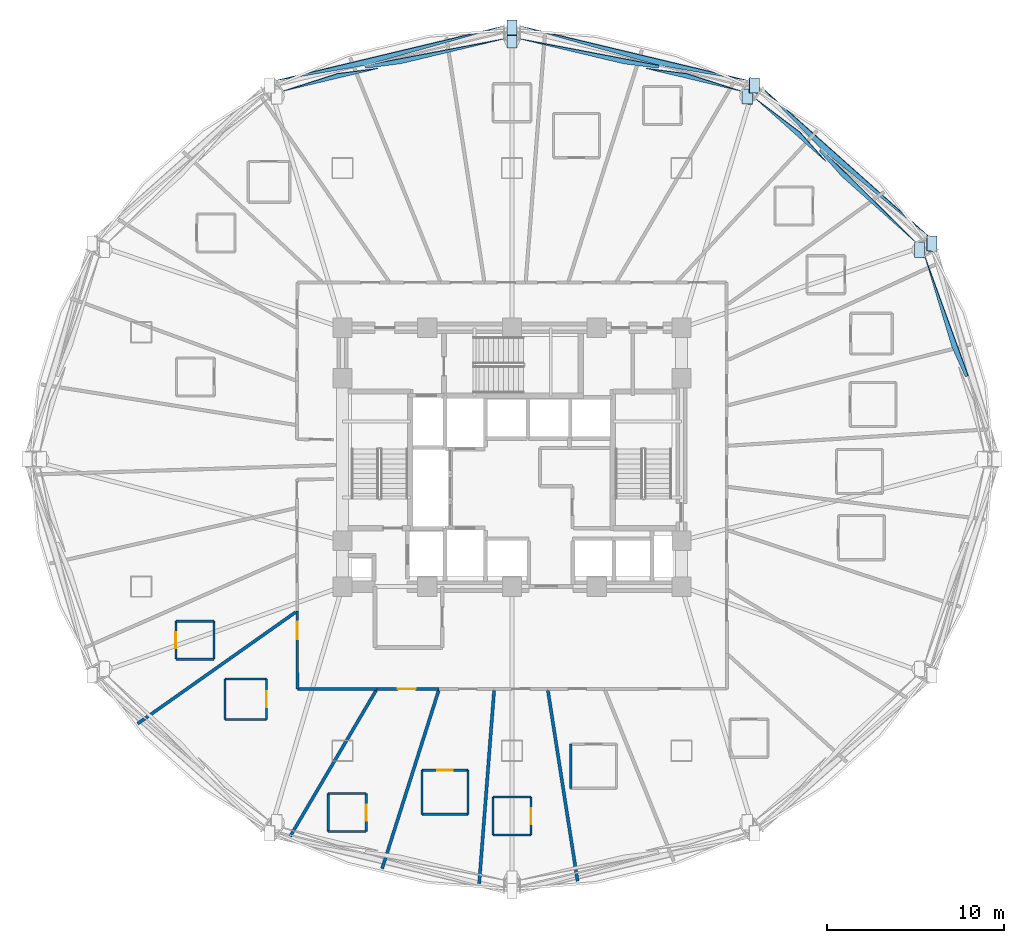
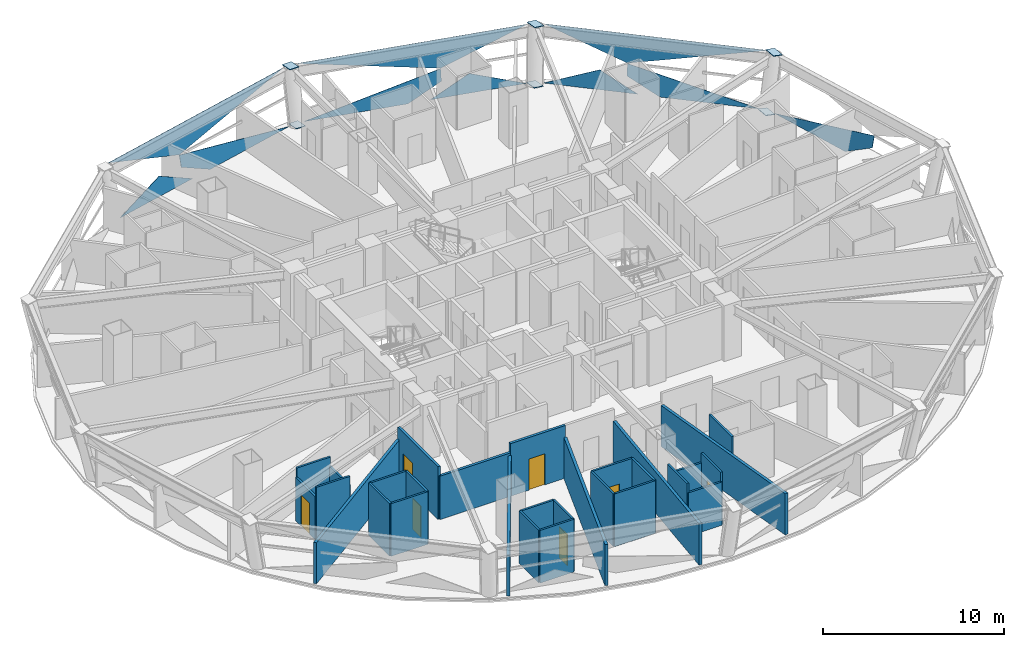
# One storey, part 4 of 13: 29 walls, 16 plates, 7 doors, 7 openings, 4 elements without a shape of their own.
"""IFC4 building model written with IfcOpenShell, lengths in metres."""

from ifc_helpers import new_model, si_unit, direction, frame, frame_2d, origin, place, context, subcontext, project, spatial, polyline, rectangle, outline, extrude, material, layer, layer_set, type_object, element, fill, aggregate, save


model = new_model("IFC4")

# Units and contexts
model_context = context("Model", 3, precision=1e-05, world=origin(), true_north=direction((0.0, 1.0)))
body_context = subcontext(model_context, "Body", "Model", "MODEL_VIEW")
ifc_project = project(units=[si_unit("LENGTHUNIT", "METRE"), si_unit("AREAUNIT", "SQUARE_METRE"), si_unit("VOLUMEUNIT", "CUBIC_METRE"), si_unit("PLANEANGLEUNIT", "RADIAN"), si_unit("MASSUNIT", "GRAM", prefix="KILO")], contexts=[model_context])

# Site, building, storey
site_placement = place(None, origin())
site = spatial("IfcSite", under=ifc_project, at=site_placement, CompositionType="ELEMENT")
building_placement = place(site_placement, origin())
building = spatial("IfcBuilding", under=site, at=building_placement, Name="Vantalir Tower", CompositionType="ELEMENT")
storey_placement = place(building_placement, frame((0.0, 0.0, 53.25)))
storey = spatial("IfcBuildingStorey", under=building, at=storey_placement, Name="L12", CompositionType="ELEMENT", Elevation=53.25)

# Curtain wall, plate
ifc_material_1 = material(Name="Champagne-silver PVDF aluminium and double-silver Low-E glass", Category="aluminium")
ifc_layer_1 = layer(ifc_material_1, 0.18994140625)
ifc_layer_set_1 = layer_set([ifc_layer_1], Name="Champagne-silver PVDF aluminium and double-silver Low-E glass")
curtain_wall_type = type_object("IfcCurtainWallType", Name="CW-DIAMOND-Z1", PredefinedType="USERDEFINED", material=ifc_layer_set_1)
curtain_wall_1_placement = place(storey_placement, origin())
curtain_wall_1 = element("IfcCurtainWall", 1, at=curtain_wall_1_placement, inside=storey, type_object=curtain_wall_type, Name="L12 Quilted Pyramid-Diamond Curtain Wall S01", ObjectType="UNITISED CURTAIN WALL", PredefinedType="USERDEFINED")
ifc_material_2 = material(Name="Double-silver Low-E laminated glass IGU", Category="glass")
ifc_layer_2 = layer(ifc_material_2, 0.028076171875)
ifc_layer_set_2 = layer_set([ifc_layer_2], Name="Double-silver Low-E laminated glass IGU")
plate_type_1 = type_object("IfcPlateType", Name="CWP-IGU-28", PredefinedType="CURTAIN_PANEL", material=ifc_layer_set_2)
plate_1_placement = place(storey_placement, frame((56.4150390625, 31.36962890625, 0.04638671875), z_axis=(-0.931842929681, -0.280080287907, 0.230702810406), x_axis=(-0.2878445015, 0.957677160085, 2.735766e-06)))
plate_1 = element("IfcPlate", 2, at=plate_1_placement, type_object=plate_type_1, Name="CW-L12-S01 Pyramid Diamond Facet 1L", PredefinedType="CURTAIN_PANEL", context=body_context, shape_type="SweptSolid", body=[
    extrude(outline(polyline([(0.0, 0.0), (5.3504519900705185, 0.0), (-1.8316297275376923, -1.775186910868049), (-1.8316594055536057, -1.0289983419999966), (0.0, 0.0)])), origin(), (0.0, 0.0, -1.0), 0.028076171875),
])
aggregate(curtain_wall_1, [plate_1])

# Curtain wall, plates
curtain_wall_2_placement = place(storey_placement, origin())
curtain_wall_2 = element("IfcCurtainWall", 3, at=curtain_wall_2_placement, inside=storey, type_object=curtain_wall_type, Name="L12 Quilted Pyramid-Diamond Curtain Wall S02", ObjectType="UNITISED CURTAIN WALL", PredefinedType="USERDEFINED")
plate_2_placement = place(storey_placement, frame((54.373291015625, 37.281005859375, 0.04638671875), z_axis=(-0.649059001503, -0.728101390032, 0.220433160845), x_axis=(-0.746463040563, 0.665426877329, -1.458123e-06)))
plate_2 = element("IfcPlate", 4, at=plate_2_placement, type_object=plate_type_1, Name="CW-L12-S02 Pyramid Diamond Facet 1L", PredefinedType="CURTAIN_PANEL", context=body_context, shape_type="SweptSolid", body=[
    extrude(outline(polyline([(0.0, 0.0), (5.624147228538019, 0.0), (7.529507866494223, -1.0262306795366967), (7.529598436653488, -1.7708570979158085), (0.0, 0.0)])), origin(), (0.0, 0.0, -1.0), 0.028076171875),
])
plate_3_placement = place(storey_placement, frame((49.26708984375, 41.87451171875, 0.039306640625), z_axis=(-0.649041503139, -0.728098892635, 0.220492924484), x_axis=(-0.746463691293, 0.665426145769, 4.5913624e-05)))
plate_3 = element("IfcPlate", 5, at=plate_3_placement, type_object=plate_type_1, Name="CW-L12-S02 Pyramid Diamond Facet 1L Infill Light", PredefinedType="CURTAIN_PANEL", context=body_context, shape_type="SweptSolid", body=[
    extrude(outline(polyline([(0.0, 0.0), (5.317389616598465, 5.719166459861036e-17), (2.2006456363604188, -1.1853214119034876), (0.0, 0.0)])), origin(), (0.0, 0.0, -1.0), 0.028076171875),
])
plate_4_placement = place(storey_placement, frame((45.682861328125, 46.01708984375, 3.5234375), z_axis=(-0.652735268438, -0.732118883433, 0.194778360856), x_axis=(0.746417318607, -0.665478163509, 1.9400565e-05)))
plate_4 = element("IfcPlate", 6, at=plate_4_placement, type_object=plate_type_1, Name="CW-L12-S02 Pyramid Diamond Facet 2U", PredefinedType="CURTAIN_PANEL", context=body_context, shape_type="SweptSolid", body=[
    extrude(outline(polyline([(0.0, 0.0), (12.584202124064442, 2.749265658880118e-16), (4.771138204243946, -1.7611176756100584), (0.0, 0.0)])), origin(), (0.0, 0.0, -1.0), 0.028076171875),
])
aggregate(curtain_wall_2, [plate_2, plate_3, plate_4])

curtain_wall_3_placement = place(storey_placement, origin())
curtain_wall_3 = element("IfcCurtainWall", 7, at=curtain_wall_3_placement, inside=storey, type_object=curtain_wall_type, Name="L12 Quilted Pyramid-Diamond Curtain Wall S03", ObjectType="UNITISED CURTAIN WALL", PredefinedType="USERDEFINED")
plate_5_placement = place(storey_placement, frame((37.809326171875, 47.409423828125, 0.04638671875), z_axis=(-0.227051981987, -0.950675076805, 0.211339290758), x_axis=(-0.97264626621, 0.232291281562, -3.6578979e-05)))
plate_5 = element("IfcPlate", 8, at=plate_5_placement, type_object=plate_type_1, Name="CW-L12-S03 Pyramid Diamond Facet 1L", PredefinedType="CURTAIN_PANEL", context=body_context, shape_type="SweptSolid", body=[
    extrude(outline(polyline([(0.0, 0.0), (6.00184580491381, 2.631900773708562e-17), (-1.9899330716511916, -1.7676364424769049), (-1.9898237429534167, -1.0128188301768293), (0.0, 0.0)])), origin(), (0.0, 0.0, -1.0), 0.028076171875),
])
plate_6_placement = place(storey_placement, frame((44.45068359375, 45.85546875, 0.039794921875), z_axis=(-0.227069207479, -0.950677029717, 0.211311997255), x_axis=(-0.972642775064, 0.232305897817, -4.4215055e-05)))
plate_6 = element("IfcPlate", 9, at=plate_6_placement, type_object=plate_type_1, Name="CW-L12-S03 Pyramid Diamond Facet 1L Infill Light", PredefinedType="CURTAIN_PANEL", context=body_context, shape_type="SweptSolid", body=[
    extrude(outline(polyline([(0.0, 0.0), (5.521662841114861, -2.6698478497455547e-17), (3.212174689530239, -1.1753649828383772), (0.0, 0.0)])), origin(), (0.0, 0.0, -1.0), 0.028076171875),
])
plate_7_placement = place(storey_placement, frame((31.9716796875, 49.528076171875, 3.523681640625), z_axis=(-0.228265136491, -0.955731160063, 0.185668998885), x_axis=(0.972643142318, -0.232304364361, 0.0)))
plate_7 = element("IfcPlate", 10, at=plate_7_placement, type_object=plate_type_1, Name="CW-L12-S03 Pyramid Diamond Facet 2U", PredefinedType="CURTAIN_PANEL", context=body_context, shape_type="SweptSolid", body=[
    extrude(outline(polyline([(0.0, 0.0), (13.239887258321206, 0.0), (8.160150293564227, -1.758108443504608), (0.0, 0.0)])), origin(), (0.0, 0.0, -1.0), 0.028076171875),
])
aggregate(curtain_wall_3, [plate_5, plate_6, plate_7])

curtain_wall_4_placement = place(storey_placement, origin())
curtain_wall_4 = element("IfcCurtainWall", 11, at=curtain_wall_4_placement, inside=storey, type_object=curtain_wall_type, Name="L12 Quilted Pyramid-Diamond Curtain Wall S04", ObjectType="UNITISED CURTAIN WALL", PredefinedType="USERDEFINED")
plate_8_placement = place(storey_placement, frame((31.0283203125, 48.8037109375, 0.046142578125), z_axis=(0.227066827845, -0.950667572645, 0.211357095961), x_axis=(-0.972642396015, -0.232307486257, 3.6097314e-05)))
plate_8 = element("IfcPlate", 12, at=plate_8_placement, type_object=plate_type_1, Name="CW-L12-S04 Pyramid Diamond Facet 1L", PredefinedType="CURTAIN_PANEL", context=body_context, shape_type="SweptSolid", body=[
    extrude(outline(polyline([(0.0, 0.0), (6.001370882918791, 2.1494308069525125e-17), (7.991190580749458, -1.0128267756715648), (7.991296898255379, -1.767644386156391), (0.0, 0.0)])), origin(), (0.0, 0.0, -1.0), 0.028076171875),
])
plate_9_placement = place(storey_placement, frame((23.92041015625, 47.13818359375, 0.03955078125), z_axis=(0.227089117786, -0.950673949443, 0.211304459096), x_axis=(-0.972638002226, -0.232325880328, 4.4218858e-05)))
plate_9 = element("IfcPlate", 13, at=plate_9_placement, type_object=plate_type_1, Name="CW-L12-S04 Pyramid Diamond Facet 1L Infill Light", PredefinedType="CURTAIN_PANEL", context=body_context, shape_type="SweptSolid", body=[
    extrude(outline(polyline([(0.0, 0.0), (5.5211879190500435, -3.854338723185968e-17), (2.309245592379976, -1.1753630251140372), (0.0, 0.0)])), origin(), (0.0, 0.0, -1.0), 0.028076171875),
])
plate_10_placement = place(storey_placement, frame((18.151611328125, 46.452392578125, 3.523681640625), z_axis=(0.228280782529, -0.955724187406, 0.185685653551), x_axis=(0.972639161455, 0.232321031341, 0.0)))
plate_10 = element("IfcPlate", 14, at=plate_10_placement, type_object=plate_type_1, Name="CW-L12-S04 Pyramid Diamond Facet 2U", PredefinedType="CURTAIN_PANEL", context=body_context, shape_type="SweptSolid", body=[
    extrude(outline(polyline([(0.0, 0.0), (13.238937413446244, 1.1102230246251565e-16), (5.079493909705039, -1.7581140744084296), (0.0, 0.0)])), origin(), (0.0, 0.0, -1.0), 0.028076171875),
])
aggregate(curtain_wall_4, [plate_8, plate_9, plate_10])

# Plates
ifc_material_3 = material(Name="Steel S460", Category="steel")
ifc_layer_3 = layer(ifc_material_3, 0.035888671875)
ifc_layer_set_3 = layer_set([ifc_layer_3], Name="Steel S460")
plate_type_2 = type_object("IfcPlateType", Name="PLT-KN-Z2", PredefinedType="USERDEFINED", material=ifc_layer_set_3)
plate_11_placement = place(storey_placement, frame((54.993896484375, 37.671142578125, 3.6083984375), z_axis=(0.19231840821, 0.098967024038, 0.976329431092), x_axis=(-2.60466e-05, -0.994901164842, 0.100854704982)))
element("IfcPlate", 15, at=plate_11_placement, inside=storey, type_object=plate_type_2, Name="L12 Ring Column Top Cap RC02", ObjectType="FLANGE_PLATE", PredefinedType="USERDEFINED", context=body_context, shape_type="SweptSolid", body=[
    extrude(outline(polyline([(0.0, 0.0), (0.8799869847993019, 0.0), (0.8799420258615654, 0.579940714261387), (-2.033620702813696e-05, 0.5798940015586052), (0.0, 0.0)])), origin(), (0.0, 0.0, -1.0), 0.035888671875),
])
plate_12_placement = place(storey_placement, frame((54.295654296875, 37.3115234375, 0.062744140625), z_axis=(0.192116716053, 0.099105756914, 0.976355066745), x_axis=(0.0, -0.994887752141, 0.100986933012)))
element("IfcPlate", 16, at=plate_12_placement, inside=storey, type_object=plate_type_2, Name="L12 Ring Column Base Cap RC02", ObjectType="FLANGE_PLATE", PredefinedType="USERDEFINED", context=body_context, shape_type="SweptSolid", body=[
    extrude(outline(polyline([(0.0, 0.0), (0.879986992869917, 0.0), (0.8799666728043052, 0.5798940138062992), (-2.032006561176504e-05, 0.5798940138062992), (0.0, 0.0)])), origin(), (0.0, 0.0, -1.0), 0.035888671875),
])
plate_13_placement = place(storey_placement, frame((44.94091796875, 46.61865234375, 3.552978515625), z_axis=(0.111068193731, 0.172049429458, 0.978806850285), x_axis=(0.0, -0.984900639963, 0.173120563193)))
element("IfcPlate", 17, at=plate_13_placement, inside=storey, type_object=plate_type_2, Name="L12 Ring Column Top Cap RC03", ObjectType="FLANGE_PLATE", PredefinedType="USERDEFINED", context=body_context, shape_type="SweptSolid", body=[
    extrude(outline(polyline([(0.0, 0.0), (0.8799864510013339, 0.0), (0.8798177943529027, 0.5800046275819029), (-0.0001686566484311678, 0.5800046275819029), (0.0, 0.0)])), origin(), (0.0, 0.0, -1.0), 0.035888671875),
])
plate_14_placement = place(storey_placement, frame((44.53759765625, 45.9951171875, 0.00732421875), z_axis=(0.11134489342, 0.172177788516, 0.978752841044), x_axis=(-1.5116684e-05, -0.984876685388, 0.173256787317)))
element("IfcPlate", 18, at=plate_14_placement, inside=storey, type_object=plate_type_2, Name="L12 Ring Column Base Cap RC03", ObjectType="FLANGE_PLATE", PredefinedType="USERDEFINED", context=body_context, shape_type="SweptSolid", body=[
    extrude(outline(polyline([(0.0, 0.0), (0.880028741503693, 3.469446951953614e-18), (0.8800406105336651, 0.5800360851606925), (5.4168050313154956e-05, 0.5800093130936005), (0.0, 0.0)])), origin(), (0.0, 0.0, -1.0), 0.035888671875),
])
plate_15_placement = place(storey_placement, frame((31.2099609375, 49.8876953125, 3.509765625), z_axis=(0.0, 0.199209804039, 0.979956863323), x_axis=(0.0, -0.979956863323, 0.199209804039)))
element("IfcPlate", 19, at=plate_15_placement, inside=storey, type_object=plate_type_2, Name="L12 Ring Column Top Cap RC04", ObjectType="FLANGE_PLATE", PredefinedType="USERDEFINED", context=body_context, shape_type="SweptSolid", body=[
    extrude(outline(polyline([(0.0, 0.0), (0.8799414747457135, 0.0), (0.8799414747457135, 0.580078125), (0.0, 0.580078125), (0.0, 0.0)])), origin(), (0.0, 0.0, -1.0), 0.035888671875),
])
plate_16_placement = place(storey_placement, frame((31.2099609375, 49.167724609375, -0.03564453125), z_axis=(0.0, 0.198943341493, 0.980010993242), x_axis=(0.0, -0.980010993242, 0.198943341493)))
element("IfcPlate", 20, at=plate_16_placement, inside=storey, type_object=plate_type_2, Name="L12 Ring Column Base Cap RC04", ObjectType="FLANGE_PLATE", PredefinedType="USERDEFINED", context=body_context, shape_type="SweptSolid", body=[
    extrude(outline(polyline([(0.0, 0.0), (0.8798928720659172, 0.0), (0.8798928720659172, 0.580078125), (0.0, 0.580078125), (0.0, 0.0)])), origin(), (0.0, 0.0, -1.0), 0.035888671875),
])

# Walls
ifc_material_4 = material(Name="Moisture-resistant en-suite partition", Category="gypsum")
ifc_layer_4 = layer(ifc_material_4, 0.125)
ifc_layer_set_4 = layer_set([ifc_layer_4], Name="Moisture-resistant en-suite partition")
wall_type_1 = type_object("IfcWallType", Name="WL-BATH-125", PredefinedType="PARTITIONING", material=ifc_layer_set_4)
for number, where, z_axis, x_axis, name in (
    (21, (12.465087890625, 13.68701171875, 0.0), (0.0, 0.0, 1.0), (1.0, 0.0, 0.0), "L12 En-suite 18 South Wall"),
    (22, (12.465087890625, 15.8369140625, 0.0), (0.0, 0.0, 1.0), (1.0, 0.0, 0.0), "L12 En-suite 18 North Wall"),
):
    element("IfcWall", number, at=place(storey_placement, frame(where, z_axis=z_axis, x_axis=x_axis)), inside=storey, type_object=wall_type_1, Name=name, PredefinedType="PARTITIONING", context=body_context, shape_type="SweptSolid", body=[
        extrude(rectangle(XDim=2.14990234375, YDim=0.125, at=frame_2d((1.074951171875, 0.0))), origin(), (0.0, 0.0, 1.0), 3.550048828125),
    ])

# Wall, opening, door
wall_1_placement = place(storey_placement, frame((12.465087890625, 13.68701171875, 0.0), z_axis=(0.0, 0.0, 1.0), x_axis=(0.0, 1.0, 0.0)))
wall_1 = element("IfcWall", 23, at=wall_1_placement, inside=storey, type_object=wall_type_1, Name="L12 En-suite 18 West Wall", PredefinedType="PARTITIONING", context=body_context, shape_type="SweptSolid", body=[
    extrude(rectangle(XDim=2.14990234375, YDim=0.125, at=frame_2d((1.074951171875, 0.0))), origin(), (0.0, 0.0, 1.0), 2.927978515625),
])
opening_1_placement = place(wall_1_placement, frame((0.625, 0.0, 0.0)))
opening_1 = element("IfcOpeningElement", 24, at=opening_1_placement, cuts=wall_1, Name="Opening D-WC", PredefinedType="OPENING", context=body_context, shape_type="SweptSolid", body=[
    extrude(rectangle(XDim=0.89990234375, YDim=2.10009765625, at=frame_2d((0.449951171875, 1.050048828125))), frame((0.0, 0.072509765625, 0.0), z_axis=(0.0, -1.0, 0.0), x_axis=(1.0, 0.0, 0.0)), (0.0, 0.0, 1.0), 0.14501953125),
])
ifc_material_5 = material(Name="Moisture-resistant hardwood door", Category="wood")
door_type_1 = type_object("IfcDoorType", Name="DR-ENSUITE-900", OperationType="NOTDEFINED", PredefinedType="DOOR", material=ifc_material_5)
door_1_placement = place(opening_1_placement, frame((0.89990234375, 0.0, 0.0), z_axis=(0.0, 0.0, 1.0), x_axis=(-1.0, 0.0, 0.0)))
door_1 = element("IfcDoor", 25, at=door_1_placement, inside=storey, type_object=door_type_1, Name="L12 En-suite 18 Door", OperationType="SINGLE_SWING_LEFT", OverallHeight=2.10009765625, OverallWidth=0.89990234375, PredefinedType="DOOR", context=body_context, shape_type="SweptSolid", body=[
    extrude(rectangle(XDim=0.89990234375, YDim=2.10009765625, at=frame_2d((0.449951171875, 1.050048828125))), frame((0.0, 0.02490234375, 0.0), z_axis=(0.0, -1.0, 0.0), x_axis=(1.0, 0.0, 0.0)), (0.0, 0.0, 1.0), 0.050048828125),
])
fill(opening_1, door_1)

# Walls
wall_2_placement = place(storey_placement, frame((14.614990234375, 13.68701171875, 0.0), z_axis=(0.0, 0.0, 1.0), x_axis=(0.0, 1.0, 0.0)))
element("IfcWall", 26, at=wall_2_placement, inside=storey, type_object=wall_type_1, Name="L12 En-suite 18 East Wall", PredefinedType="PARTITIONING", context=body_context, shape_type="SweptSolid", body=[
    extrude(rectangle(XDim=2.14990234375, YDim=0.125, at=frame_2d((1.074951171875, 0.0))), origin(), (0.0, 0.0, 1.0), 2.927978515625),
])
for number, where, z_axis, x_axis, name in (
    (27, (15.242919921875, 10.263916015625, 0.0), (0.0, 0.0, 1.0), (1.0, 0.0, 0.0), "L12 En-suite 19 South Wall"),
    (28, (15.242919921875, 12.56396484375, 0.0), (0.0, 0.0, 1.0), (1.0, 0.0, 0.0), "L12 En-suite 19 North Wall"),
):
    element("IfcWall", number, at=place(storey_placement, frame(where, z_axis=z_axis, x_axis=x_axis)), inside=storey, type_object=wall_type_1, Name=name, PredefinedType="PARTITIONING", context=body_context, shape_type="SweptSolid", body=[
        extrude(rectangle(XDim=2.35009765625, YDim=0.125, at=frame_2d((1.175048828125, 0.0))), origin(), (0.0, 0.0, 1.0), 3.550048828125),
    ])
wall_3_placement = place(storey_placement, frame((15.242919921875, 10.263916015625, 0.0), z_axis=(0.0, 0.0, 1.0), x_axis=(0.0, 1.0, 0.0)))
element("IfcWall", 29, at=wall_3_placement, inside=storey, type_object=wall_type_1, Name="L12 En-suite 19 West Wall", PredefinedType="PARTITIONING", context=body_context, shape_type="SweptSolid", body=[
    extrude(rectangle(XDim=2.300048828125, YDim=0.125, at=frame_2d((1.14990234375, 0.0))), origin(), (0.0, 0.0, 1.0), 3.550048828125),
])

# Wall, opening, door
wall_4_placement = place(storey_placement, frame((17.593017578125, 10.263916015625, 0.0), z_axis=(0.0, 0.0, 1.0), x_axis=(0.0, 1.0, 0.0)))
wall_4 = element("IfcWall", 30, at=wall_4_placement, inside=storey, type_object=wall_type_1, Name="L12 En-suite 19 East Wall", PredefinedType="PARTITIONING", context=body_context, shape_type="SweptSolid", body=[
    extrude(rectangle(XDim=2.300048828125, YDim=0.125, at=frame_2d((1.14990234375, 0.0))), origin(), (0.0, 0.0, 1.0), 3.550048828125),
])
opening_2_placement = place(wall_4_placement, frame((0.699951171875, 0.0, 0.0)))
opening_2 = element("IfcOpeningElement", 31, at=opening_2_placement, cuts=wall_4, Name="Opening D-WC", PredefinedType="OPENING", context=body_context, shape_type="SweptSolid", body=[
    extrude(rectangle(XDim=0.89990234375, YDim=2.10009765625, at=frame_2d((0.449951171875, 1.050048828125))), frame((0.0, 0.072509765625, 0.0), z_axis=(0.0, -1.0, 0.0), x_axis=(1.0, 0.0, 0.0)), (0.0, 0.0, 1.0), 0.14501953125),
])
door_2_placement = place(opening_2_placement, origin())
door_2 = element("IfcDoor", 32, at=door_2_placement, inside=storey, type_object=door_type_1, Name="L12 En-suite 19 Door", OperationType="SINGLE_SWING_RIGHT", OverallHeight=2.10009765625, OverallWidth=0.89990234375, PredefinedType="DOOR", context=body_context, shape_type="SweptSolid", body=[
    extrude(rectangle(XDim=0.89990234375, YDim=2.10009765625, at=frame_2d((0.449951171875, 1.050048828125))), frame((0.0, 0.02490234375, 0.0), z_axis=(0.0, -1.0, 0.0), x_axis=(1.0, 0.0, 0.0)), (0.0, 0.0, 1.0), 0.050048828125),
])
fill(opening_2, door_2)

# Walls
for number, where, z_axis, x_axis, name in (
    (33, (21.090087890625, 3.923095703125, 0.0), (0.0, 0.0, 1.0), (1.0, 0.0, 0.0), "L12 En-suite 20 South Wall"),
    (34, (21.090087890625, 6.072998046875, 0.0), (0.0, 0.0, 1.0), (1.0, 0.0, 0.0), "L12 En-suite 20 North Wall"),
    (35, (21.090087890625, 3.923095703125, 0.0), (0.0, 0.0, 1.0), (0.0, 1.0, 0.0), "L12 En-suite 20 West Wall"),
):
    element("IfcWall", number, at=place(storey_placement, frame(where, z_axis=z_axis, x_axis=x_axis)), inside=storey, type_object=wall_type_1, Name=name, PredefinedType="PARTITIONING", context=body_context, shape_type="SweptSolid", body=[
        extrude(rectangle(XDim=2.14990234375, YDim=0.125, at=frame_2d((1.074951171875, 0.0))), origin(), (0.0, 0.0, 1.0), 3.550048828125),
    ])

# Wall, opening, door
wall_5_placement = place(storey_placement, frame((23.239990234375, 3.923095703125, 0.0), z_axis=(0.0, 0.0, 1.0), x_axis=(0.0, 1.0, 0.0)))
wall_5 = element("IfcWall", 36, at=wall_5_placement, inside=storey, type_object=wall_type_1, Name="L12 En-suite 20 East Wall", PredefinedType="PARTITIONING", context=body_context, shape_type="SweptSolid", body=[
    extrude(rectangle(XDim=2.14990234375, YDim=0.125, at=frame_2d((1.074951171875, 0.0))), origin(), (0.0, 0.0, 1.0), 3.550048828125),
])
opening_3_placement = place(wall_5_placement, frame((0.625, 0.0, 0.0)))
opening_3 = element("IfcOpeningElement", 37, at=opening_3_placement, cuts=wall_5, Name="Opening D-WC", PredefinedType="OPENING", context=body_context, shape_type="SweptSolid", body=[
    extrude(rectangle(XDim=0.89990234375, YDim=2.10009765625, at=frame_2d((0.449951171875, 1.050048828125))), frame((0.0, 0.072509765625, 0.0), z_axis=(0.0, -1.0, 0.0), x_axis=(1.0, 0.0, 0.0)), (0.0, 0.0, 1.0), 0.14501953125),
])
door_3_placement = place(opening_3_placement, origin())
door_3 = element("IfcDoor", 38, at=door_3_placement, inside=storey, type_object=door_type_1, Name="L12 En-suite 20 Door", OperationType="SINGLE_SWING_LEFT", OverallHeight=2.10009765625, OverallWidth=0.89990234375, PredefinedType="DOOR", context=body_context, shape_type="SweptSolid", body=[
    extrude(rectangle(XDim=0.89990234375, YDim=2.10009765625, at=frame_2d((0.449951171875, 1.050048828125))), frame((0.0, 0.02490234375, 0.0), z_axis=(0.0, -1.0, 0.0), x_axis=(1.0, 0.0, 0.0)), (0.0, 0.0, 1.0), 0.050048828125),
])
fill(opening_3, door_3)

# Wall
wall_6_placement = place(storey_placement, frame((26.404052734375, 4.89990234375, 0.0), z_axis=(0.0, 0.0, 1.0), x_axis=(1.0, 0.0, 0.0)))
element("IfcWall", 39, at=wall_6_placement, inside=storey, type_object=wall_type_1, Name="L12 En-suite 21 South Wall", PredefinedType="PARTITIONING", context=body_context, shape_type="SweptSolid", body=[
    extrude(rectangle(XDim=2.599853515625, YDim=0.125, at=frame_2d((1.2998046875, 0.0))), origin(), (0.0, 0.0, 1.0), 3.550048828125),
])

# Wall, opening, door
wall_7_placement = place(storey_placement, frame((26.404052734375, 7.39990234375, 0.0), z_axis=(0.0, 0.0, 1.0), x_axis=(1.0, 0.0, 0.0)))
wall_7 = element("IfcWall", 40, at=wall_7_placement, inside=storey, type_object=wall_type_1, Name="L12 En-suite 21 North Wall", PredefinedType="PARTITIONING", context=body_context, shape_type="SweptSolid", body=[
    extrude(rectangle(XDim=2.599853515625, YDim=0.125, at=frame_2d((1.2998046875, 0.0))), origin(), (0.0, 0.0, 1.0), 3.550048828125),
])
opening_4_placement = place(wall_7_placement, frame((0.85009765625, 0.0, 0.0)))
opening_4 = element("IfcOpeningElement", 41, at=opening_4_placement, cuts=wall_7, Name="Opening D-WC", PredefinedType="OPENING", context=body_context, shape_type="SweptSolid", body=[
    extrude(rectangle(XDim=0.89990234375, YDim=2.10009765625, at=frame_2d((0.449951171875, 1.050048828125))), frame((0.0, 0.072509765625, 0.0), z_axis=(0.0, -1.0, 0.0), x_axis=(1.0, 0.0, 0.0)), (0.0, 0.0, 1.0), 0.14501953125),
])
door_4_placement = place(opening_4_placement, frame((0.89990234375, 0.0, 0.0), z_axis=(0.0, 0.0, 1.0), x_axis=(-1.0, 0.0, 0.0)))
door_4 = element("IfcDoor", 42, at=door_4_placement, inside=storey, type_object=door_type_1, Name="L12 En-suite 21 Door", OperationType="SINGLE_SWING_RIGHT", OverallHeight=2.10009765625, OverallWidth=0.89990234375, PredefinedType="DOOR", context=body_context, shape_type="SweptSolid", body=[
    extrude(rectangle(XDim=0.89990234375, YDim=2.10009765625, at=frame_2d((0.449951171875, 1.050048828125))), frame((0.0, 0.02490234375, 0.0), z_axis=(0.0, -1.0, 0.0), x_axis=(1.0, 0.0, 0.0)), (0.0, 0.0, 1.0), 0.050048828125),
])
fill(opening_4, door_4)

# Walls
for number, where, z_axis, x_axis, name in (
    (43, (26.404052734375, 4.89990234375, 0.0), (0.0, 0.0, 1.0), (0.0, 1.0, 0.0), "L12 En-suite 21 West Wall"),
    (44, (29.00390625, 4.89990234375, 0.0), (0.0, 0.0, 1.0), (0.0, 1.0, 0.0), "L12 En-suite 21 East Wall"),
):
    element("IfcWall", number, at=place(storey_placement, frame(where, z_axis=z_axis, x_axis=x_axis)), inside=storey, type_object=wall_type_1, Name=name, PredefinedType="PARTITIONING", context=body_context, shape_type="SweptSolid", body=[
        extrude(rectangle(XDim=2.5, YDim=0.125, at=frame_2d((1.25, 0.0))), origin(), (0.0, 0.0, 1.0), 3.550048828125),
    ])
for number, where, z_axis, x_axis, name in (
    (45, (30.427978515625, 3.72412109375, 0.0), (0.0, 0.0, 1.0), (1.0, 0.0, 0.0), "L12 En-suite 22 South Wall"),
    (46, (30.427978515625, 5.8740234375, 0.0), (0.0, 0.0, 1.0), (1.0, 0.0, 0.0), "L12 En-suite 22 North Wall"),
):
    element("IfcWall", number, at=place(storey_placement, frame(where, z_axis=z_axis, x_axis=x_axis)), inside=storey, type_object=wall_type_1, Name=name, PredefinedType="PARTITIONING", context=body_context, shape_type="SweptSolid", body=[
        extrude(rectangle(XDim=2.14990234375, YDim=0.125, at=frame_2d((1.074951171875, 0.0))), origin(), (0.0, 0.0, 1.0), 2.927978515625),
    ])
wall_8_placement = place(storey_placement, frame((30.427978515625, 3.72412109375, 0.0), z_axis=(0.0, 0.0, 1.0), x_axis=(0.0, 1.0, 0.0)))
element("IfcWall", 47, at=wall_8_placement, inside=storey, type_object=wall_type_1, Name="L12 En-suite 22 West Wall", PredefinedType="PARTITIONING", context=body_context, shape_type="SweptSolid", body=[
    extrude(rectangle(XDim=2.14990234375, YDim=0.125, at=frame_2d((1.074951171875, 0.0))), origin(), (0.0, 0.0, 1.0), 3.550048828125),
])

# Wall, opening, door
wall_9_placement = place(storey_placement, frame((32.577880859375, 3.72412109375, 0.0), z_axis=(0.0, 0.0, 1.0), x_axis=(0.0, 1.0, 0.0)))
wall_9 = element("IfcWall", 48, at=wall_9_placement, inside=storey, type_object=wall_type_1, Name="L12 En-suite 22 East Wall", PredefinedType="PARTITIONING", context=body_context, shape_type="SweptSolid", body=[
    extrude(rectangle(XDim=2.14990234375, YDim=0.125, at=frame_2d((1.074951171875, 0.0))), origin(), (0.0, 0.0, 1.0), 3.550048828125),
])
opening_5_placement = place(wall_9_placement, frame((0.625, 0.0, 0.0)))
opening_5 = element("IfcOpeningElement", 49, at=opening_5_placement, cuts=wall_9, Name="Opening D-WC", PredefinedType="OPENING", context=body_context, shape_type="SweptSolid", body=[
    extrude(rectangle(XDim=0.89990234375, YDim=2.10009765625, at=frame_2d((0.449951171875, 1.050048828125))), frame((0.0, 0.072509765625, 0.0), z_axis=(0.0, -1.0, 0.0), x_axis=(1.0, 0.0, 0.0)), (0.0, 0.0, 1.0), 0.14501953125),
])
door_5_placement = place(opening_5_placement, origin())
door_5 = element("IfcDoor", 50, at=door_5_placement, inside=storey, type_object=door_type_1, Name="L12 En-suite 22 Door", OperationType="SINGLE_SWING_LEFT", OverallHeight=2.10009765625, OverallWidth=0.89990234375, PredefinedType="DOOR", context=body_context, shape_type="SweptSolid", body=[
    extrude(rectangle(XDim=0.89990234375, YDim=2.10009765625, at=frame_2d((0.449951171875, 1.050048828125))), frame((0.0, 0.02490234375, 0.0), z_axis=(0.0, -1.0, 0.0), x_axis=(1.0, 0.0, 0.0)), (0.0, 0.0, 1.0), 0.050048828125),
])
fill(opening_5, door_5)

# Wall
wall_10_placement = place(storey_placement, frame((34.824951171875, 6.373046875, 0.0), z_axis=(0.0, 0.0, 1.0), x_axis=(0.0, 1.0, 0.0)))
element("IfcWall", 51, at=wall_10_placement, inside=storey, type_object=wall_type_1, Name="L12 En-suite 23 West Wall", PredefinedType="PARTITIONING", context=body_context, shape_type="SweptSolid", body=[
    extrude(rectangle(XDim=2.5, YDim=0.125, at=frame_2d((1.25, 0.0))), origin(), (0.0, 0.0, 1.0), 3.550048828125),
])

# Wall, opening, door
ifc_material_6 = material(Name="Fire-rated hotel corridor acoustic partition", Category="gypsum")
ifc_layer_5 = layer(ifc_material_6, 0.159912109375)
ifc_layer_set_5 = layer_set([ifc_layer_5], Name="Fire-rated hotel corridor acoustic partition")
wall_type_2 = type_object("IfcWallType", Name="WL-CORR-160", PredefinedType="PARTITIONING", material=ifc_layer_set_5)
wall_11_placement = place(storey_placement, frame((27.3740234375, 11.998046875, 0.0), z_axis=(0.0, 0.0, 1.0), x_axis=(-0.999999655033, -0.000830621988, 0.0)))
wall_11 = element("IfcWall", 52, at=wall_11_placement, inside=storey, type_object=wall_type_2, Name="L12 Corridor Partition 28", PredefinedType="PARTITIONING", context=body_context, shape_type="SweptSolid", body=[
    extrude(rectangle(XDim=3.527099609375, YDim=0.159912109375, at=frame_2d((1.763671875, 0.0))), origin(), (0.0, 0.0, 1.0), 3.550048828125),
])
opening_6_placement = place(wall_11_placement, frame((1.3369140625, 0.0, 0.0)))
opening_6 = element("IfcOpeningElement", 53, at=opening_6_placement, cuts=wall_11, Name="Opening D-GUEST", PredefinedType="OPENING", context=body_context, shape_type="SweptSolid", body=[
    extrude(rectangle(XDim=1.0, YDim=2.10009765625, at=frame_2d((0.5, 1.050048828125))), frame((0.0, 0.08984375, 0.0), z_axis=(0.0, -1.0, 0.0), x_axis=(1.0, 0.0, 0.0)), (0.0, 0.0, 1.0), 0.179931640625),
])
ifc_material_7 = material(Name="Solid-core teak veneer acoustic fire door", Category="wood")
door_type_2 = type_object("IfcDoorType", Name="DR-GUEST-ENTRY-1000", OperationType="NOTDEFINED", PredefinedType="DOOR", material=ifc_material_7)
door_6_placement = place(opening_6_placement, origin())
door_6 = element("IfcDoor", 54, at=door_6_placement, inside=storey, type_object=door_type_2, Name="L12 Twin Queen Hotel Room 20 Door", OperationType="SINGLE_SWING_RIGHT", OverallHeight=2.10009765625, OverallWidth=1.0, PredefinedType="DOOR", context=body_context, shape_type="SweptSolid", body=[
    extrude(rectangle(XDim=1.0, YDim=2.10009765625, at=frame_2d((0.5, 1.050048828125))), frame((0.0, 0.02490234375, 0.0), z_axis=(0.0, -1.0, 0.0), x_axis=(1.0, 0.0, 0.0)), (0.0, 0.0, 1.0), 0.050048828125),
])
fill(opening_6, door_6)

# Wall
wall_12_placement = place(storey_placement, frame((23.846923828125, 11.9951171875, 0.0), z_axis=(0.0, 0.0, 1.0), x_axis=(-0.999999751603, -0.000704836086, 0.0)))
element("IfcWall", 55, at=wall_12_placement, inside=storey, type_object=wall_type_2, Name="L12 Corridor Partition 29", PredefinedType="PARTITIONING", context=body_context, shape_type="SweptSolid", body=[
    extrude(rectangle(XDim=4.5029296875, YDim=0.159912109375, at=frame_2d((2.25146484375, 0.0))), origin(), (0.0, 0.0, 1.0), 2.927978515625),
])

# Wall, opening, door
wall_13_placement = place(storey_placement, frame((19.343994140625, 11.991943359375, 0.0), z_axis=(0.0, 0.0, 1.0), x_axis=(-0.001822295279, 0.999998339619, 0.0)))
wall_13 = element("IfcWall", 56, at=wall_13_placement, inside=storey, type_object=wall_type_2, Name="L12 Corridor Partition 30", PredefinedType="PARTITIONING", context=body_context, shape_type="SweptSolid", body=[
    extrude(rectangle(XDim=4.421142578125, YDim=0.159912109375, at=frame_2d((2.21044921875, 0.0))), origin(), (0.0, 0.0, 1.0), 3.550048828125),
])
opening_7_placement = place(wall_13_placement, frame((2.818115234375, 0.0, 0.0)))
opening_7 = element("IfcOpeningElement", 57, at=opening_7_placement, cuts=wall_13, Name="Opening D-GUEST", PredefinedType="OPENING", context=body_context, shape_type="SweptSolid", body=[
    extrude(rectangle(XDim=1.0, YDim=2.10009765625, at=frame_2d((0.5, 1.050048828125))), frame((0.0, 0.08984375, 0.0), z_axis=(0.0, -1.0, 0.0), x_axis=(1.0, 0.0, 0.0)), (0.0, 0.0, 1.0), 0.179931640625),
])
door_7_placement = place(opening_7_placement, origin())
door_7 = element("IfcDoor", 58, at=door_7_placement, inside=storey, type_object=door_type_2, Name="L12 Deluxe King Hotel Room 19 Door", OperationType="SINGLE_SWING_LEFT", OverallHeight=2.10009765625, OverallWidth=1.0, PredefinedType="DOOR", context=body_context, shape_type="SweptSolid", body=[
    extrude(rectangle(XDim=1.0, YDim=2.10009765625, at=frame_2d((0.5, 1.050048828125))), frame((0.0, 0.02490234375, 0.0), z_axis=(0.0, -1.0, 0.0), x_axis=(1.0, 0.0, 0.0)), (0.0, 0.0, 1.0), 0.050048828125),
])
fill(opening_7, door_7)

# Walls
ifc_material_8 = material(Name="Twin-stud acoustic fire-rated gypsum partition", Category="gypsum")
ifc_layer_6 = layer(ifc_material_8, 0.179931640625)
ifc_layer_set_6 = layer_set([ifc_layer_6], Name="Twin-stud acoustic fire-rated gypsum partition")
wall_type_3 = type_object("IfcWallType", Name="WL-GUEST-180", PredefinedType="PARTITIONING", material=ifc_layer_set_6)
wall_14_placement = place(storey_placement, frame((19.248046875, 16.35107421875, 0.0), z_axis=(0.0, 0.0, 1.0), x_axis=(-0.816958598031, -0.576696323123, 0.0)))
element("IfcWall", 59, at=wall_14_placement, inside=storey, type_object=wall_type_3, Name="L12 Radial Suite Partition 19", PredefinedType="PARTITIONING", context=body_context, shape_type="SweptSolid", body=[
    extrude(rectangle(XDim=10.9541015625, YDim=0.179931640625, at=frame_2d((5.47705078125, 0.0))), origin(), (0.0, 0.0, 1.0), 2.77490234375),
])
wall_15_placement = place(storey_placement, frame((23.798095703125, 11.9130859375, 0.0), z_axis=(0.0, 0.0, 1.0), x_axis=(-0.507163744978, -0.86184971763, 0.0)))
element("IfcWall", 60, at=wall_15_placement, inside=storey, type_object=wall_type_3, Name="L12 Radial Suite Partition 20", PredefinedType="PARTITIONING", context=body_context, shape_type="SweptSolid", body=[
    extrude(rectangle(XDim=9.5830078125, YDim=0.179931640625, at=frame_2d((4.79150390625, 0.0))), origin(), (0.0, 0.0, 1.0), 2.77490234375),
])
wall_16_placement = place(storey_placement, frame((27.345947265625, 11.9130859375, 0.0), z_axis=(0.0, 0.0, 1.0), x_axis=(-0.30246369842, -0.953160905166, 0.0)))
element("IfcWall", 61, at=wall_16_placement, inside=storey, type_object=wall_type_3, Name="L12 Radial Suite Partition 21", PredefinedType="PARTITIONING", context=body_context, shape_type="SweptSolid", body=[
    extrude(rectangle(XDim=10.582763671875, YDim=0.179931640625, at=frame_2d((5.29150390625, 0.0))), origin(), (0.0, 0.0, 1.0), 2.77490234375),
])
wall_17_placement = place(storey_placement, frame((30.487060546875, 11.9130859375, 0.0), z_axis=(0.0, 0.0, 1.0), x_axis=(-0.077184667338, -0.997016813864, 0.0)))
element("IfcWall", 62, at=wall_17_placement, inside=storey, type_object=wall_type_3, Name="L12 Radial Suite Partition 22", PredefinedType="PARTITIONING", context=body_context, shape_type="SweptSolid", body=[
    extrude(rectangle(XDim=10.975830078125, YDim=0.179931640625, at=frame_2d((5.48779296875, 0.0))), origin(), (0.0, 0.0, 1.0), 2.77490234375),
])
wall_18_placement = place(storey_placement, frame((33.534912109375, 11.9130859375, 0.0), z_axis=(0.0, 0.0, 1.0), x_axis=(0.153749177846, -0.988109908012, 0.0)))
element("IfcWall", 63, at=wall_18_placement, inside=storey, type_object=wall_type_3, Name="L12 Radial Suite Partition 23", PredefinedType="PARTITIONING", context=body_context, shape_type="SweptSolid", body=[
    extrude(rectangle(XDim=10.927978515625, YDim=0.179931640625, at=frame_2d((5.4638671875, 0.0))), origin(), (0.0, 0.0, 1.0), 2.77490234375),
])

save(model, "model.ifc")
